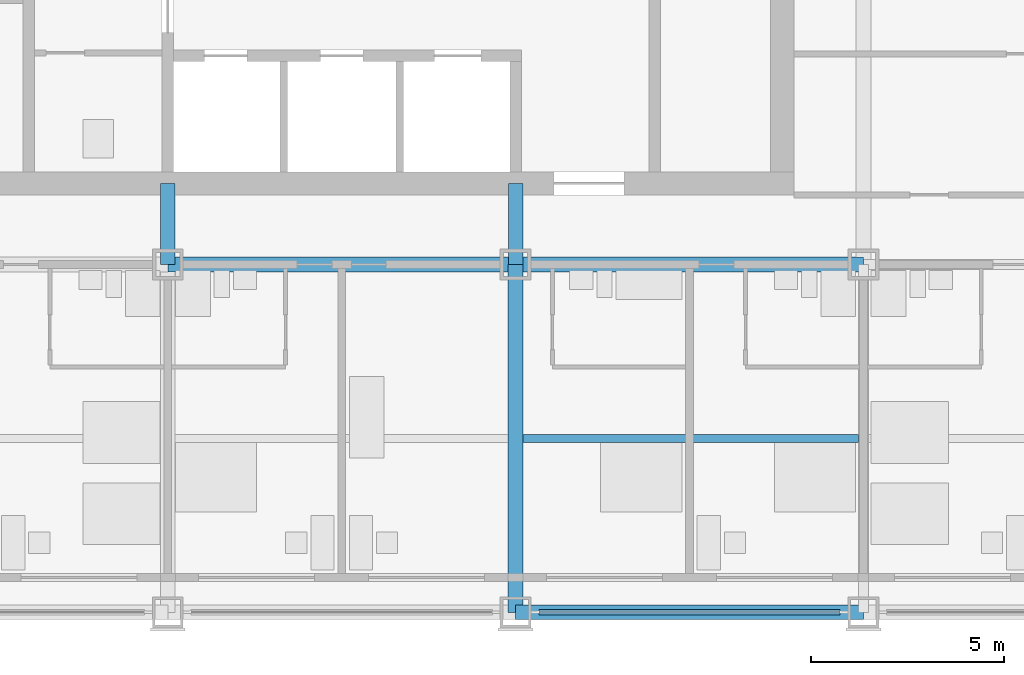
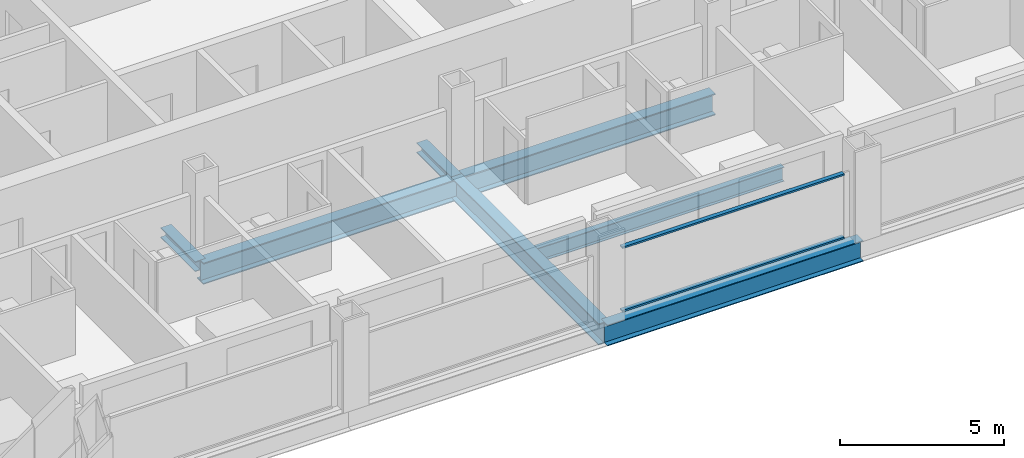
# One storey, part 3 of 18: 5 beams, 4 members, 1 element without a shape of its own.
"""IFC4 building model written with IfcOpenShell, lengths in metres."""

from ifc_helpers import new_model, si_unit, direction, frame, origin, origin_2d, place, context, subcontext, project, spatial, rectangle, i_section, extrude, material, material_profile, profile_set, type_object, element, aggregate, save


model = new_model("IFC4")

# Units and contexts
model_context = context("Model", 3, precision=1e-05, world=origin(), true_north=direction((0.0, 1.0)))
body_context = subcontext(model_context, "Body", "Model", "MODEL_VIEW")
ifc_project = project(units=[si_unit("LENGTHUNIT", "METRE"), si_unit("AREAUNIT", "SQUARE_METRE"), si_unit("VOLUMEUNIT", "CUBIC_METRE"), si_unit("PLANEANGLEUNIT", "RADIAN"), si_unit("MASSUNIT", "GRAM", prefix="KILO")], contexts=[model_context])

# Site, building, storey
site_placement = place(None, origin())
site = spatial("IfcSite", under=ifc_project, at=site_placement, CompositionType="ELEMENT")
building_placement = place(site_placement, origin())
building = spatial("IfcBuilding", under=site, at=building_placement, Name="Loomwork Tower", CompositionType="ELEMENT")
storey_placement = place(building_placement, frame((0.0, 0.0, 82.39990234375)))
storey = spatial("IfcBuildingStorey", under=building, at=storey_placement, Name="L21", CompositionType="ELEMENT", Elevation=82.39990234375)

# Beams
ifc_material_1 = material(Name="Steel ASTM A992", Category="steel")
ifc_material_profile_1 = material_profile(ifc_material_1, i_section(OverallWidth=0.383544921875, OverallDepth=0.794921875, WebThickness=0.02099609375, FlangeThickness=0.0380859375, at=origin_2d()), Name="W30x235")
ifc_profile_set_1 = profile_set([ifc_material_profile_1], Name="Steel ASTM A992")
beam_type_1 = type_object("IfcBeamType", Name="CORE FLANK GIRDER W30x235", PredefinedType="BEAM", material=ifc_profile_set_1)
for number, where, z_axis, x_axis, name in (
    (1, (18.0, 9.0, -0.597412109375), (1.0, 0.0, 0.0), (0.0, 1.0, 0.0), "Core Flank Girder E/4-E/5 L21"),
    (2, (27.0, 9.0, -0.597412109375), (1.0, 0.0, 0.0), (0.0, 1.0, 0.0), "Core Flank Girder E/5-E/6 L21"),
    (3, (27.0, 0.0, -0.597412109375), (0.0, 1.0, 0.0), (-1.0, 0.0, 0.0), "Core Flank Girder D/5-E/5 L21"),
):
    element("IfcBeam", number, at=place(storey_placement, frame(where, z_axis=z_axis, x_axis=x_axis)), inside=storey, type_object=beam_type_1, Name=name, PredefinedType="BEAM", context=body_context, shape_type="SweptSolid", body=[
        extrude(i_section(OverallWidth=0.383544921875, OverallDepth=0.794921875, WebThickness=0.02099609375, FlangeThickness=0.0380859375, at=origin_2d()), origin(), (0.0, 0.0, 1.0), 9.0),
    ])

# Members
ifc_material_2 = material(Name="Steel ASTM A992", Category="steel")
ifc_material_profile_2 = material_profile(ifc_material_2, i_section(OverallWidth=0.373291015625, OverallDepth=0.373291015625, WebThickness=0.016357421875, FlangeThickness=0.026123046875, at=origin_2d()), Name="W14x132")
ifc_profile_set_2 = profile_set([ifc_material_profile_2], Name="Steel ASTM A992")
member_type_1 = type_object("IfcMemberType", Name="CORE LINK STRUT W14x132", PredefinedType="STRUT", material=ifc_profile_set_2)
for number, where, z_axis, x_axis, name in (
    (4, (27.0, 9.0, -0.386474609375), (0.0, 1.0, 0.0), (-1.0, 0.0, 0.0), "Core link strut E/5-27.000,11.100 L21"),
    (5, (18.0, 9.0, -0.386474609375), (0.0, 1.0, 0.0), (-1.0, 0.0, 0.0), "Core link strut E/4-18.000,11.100 L21"),
):
    element("IfcMember", number, at=place(storey_placement, frame(where, z_axis=z_axis, x_axis=x_axis)), inside=storey, type_object=member_type_1, Name=name, PredefinedType="STRUT", context=body_context, shape_type="SweptSolid", body=[
        extrude(i_section(OverallWidth=0.373291015625, OverallDepth=0.373291015625, WebThickness=0.016357421875, FlangeThickness=0.026123046875, at=origin_2d()), origin(), (0.0, 0.0, 1.0), 2.10009765625),
    ])

# Beam
ifc_material_3 = material(Name="Steel ASTM A992", Category="steel")
ifc_material_profile_3 = material_profile(ifc_material_3, i_section(OverallWidth=0.2109375, OverallDepth=0.53857421875, WebThickness=0.011474609375, FlangeThickness=0.018798828125, at=origin_2d()), Name="W21x73")
ifc_profile_set_3 = profile_set([ifc_material_profile_3], Name="Steel ASTM A992")
beam_type_2 = type_object("IfcBeamType", Name="FLOOR JOIST W21x73", PredefinedType="JOIST", material=ifc_profile_set_3)
beam_1_placement = place(storey_placement, frame((27.19091796875, 4.5, -0.46923828125), z_axis=(1.0, 0.0, 0.0), x_axis=(0.0, 1.0, 0.0)))
element("IfcBeam", 6, at=beam_1_placement, inside=storey, type_object=beam_type_2, Name="Floor Joist 27.000,4.500-36.000,4.500 L21", PredefinedType="JOIST", context=body_context, shape_type="SweptSolid", body=[
    extrude(i_section(OverallWidth=0.2109375, OverallDepth=0.53857421875, WebThickness=0.011474609375, FlangeThickness=0.018798828125, at=origin_2d()), origin(), (0.0, 0.0, 1.0), 8.676025390625),
])

# Curtain wall, members
ifc_material_4 = material(Name="Aluminium curtain wall frame", Category="aluminium")
curtain_wall_type = type_object("IfcCurtainWallType", Name="Outer skin glazing hotel", PredefinedType="NOTDEFINED", material=ifc_material_4)
curtain_wall_placement = place(storey_placement, origin())
curtain_wall = element("IfcCurtainWall", 7, at=curtain_wall_placement, inside=storey, type_object=curtain_wall_type, Name="Outer skin glazing hotel cw/S-27", PredefinedType="NOTDEFINED")
ifc_material_5 = material(Name="Aluminium curtain wall frame", Category="aluminium")
ifc_material_profile_4 = material_profile(ifc_material_5, rectangle(XDim=0.14990234375, YDim=0.06494140625, at=origin_2d()), Name="AL 65x150")
ifc_profile_set_4 = profile_set([ifc_material_profile_4], Name="Aluminium curtain wall frame")
member_type_2 = type_object("IfcMemberType", Name="Outer skin glazing hotel transom", PredefinedType="USERDEFINED", material=ifc_profile_set_4)
member_1_placement = place(storey_placement, frame((27.60009765625, 0.0, 0.03271484375), z_axis=(1.0, 0.0, 0.0), x_axis=(0.0, 1.0, 0.0)))
member_1 = element("IfcMember", 8, at=member_1_placement, type_object=member_type_2, Name="CW1 transom 1.1", ObjectType="TRANSOM", PredefinedType="USERDEFINED", context=body_context, shape_type="SweptSolid", body=[
    extrude(rectangle(XDim=0.14990234375, YDim=0.06494140625, at=origin_2d()), origin(), (0.0, 0.0, 1.0), 7.7998046875),
])
member_2_placement = place(storey_placement, frame((27.60009765625, 0.0, 2.3876953125), z_axis=(1.0, 0.0, 0.0), x_axis=(0.0, 1.0, 0.0)))
member_2 = element("IfcMember", 9, at=member_2_placement, type_object=member_type_2, Name="CW1 transom 1.2", ObjectType="TRANSOM", PredefinedType="USERDEFINED", context=body_context, shape_type="SweptSolid", body=[
    extrude(rectangle(XDim=0.14990234375, YDim=0.06494140625, at=origin_2d()), origin(), (0.0, 0.0, 1.0), 7.7998046875),
])
aggregate(curtain_wall, [member_1, member_2])

# Beam
ifc_material_6 = material(Name="Steel ASTM A992", Category="steel")
ifc_material_profile_5 = material_profile(ifc_material_6, i_section(OverallWidth=0.381103515625, OverallDepth=0.77978515625, WebThickness=0.01806640625, FlangeThickness=0.0302734375, at=origin_2d()), Name="W30x191")
ifc_profile_set_5 = profile_set([ifc_material_profile_5], Name="Steel ASTM A992")
beam_type_3 = type_object("IfcBeamType", Name="SPANDREL GIRDER W30x191", PredefinedType="SPANDREL", material=ifc_profile_set_5)
beam_2_placement = place(storey_placement, frame((27.0, 0.0, -0.58984375), z_axis=(1.0, 0.0, 0.0), x_axis=(0.0, 1.0, 0.0)))
element("IfcBeam", 10, at=beam_2_placement, inside=storey, type_object=beam_type_3, Name="Spandrel Girder D/5-D/6 L21", PredefinedType="SPANDREL", context=body_context, shape_type="SweptSolid", body=[
    extrude(i_section(OverallWidth=0.381103515625, OverallDepth=0.77978515625, WebThickness=0.01806640625, FlangeThickness=0.0302734375, at=origin_2d()), origin(), (0.0, 0.0, 1.0), 9.0),
])

save(model, "model.ifc")
